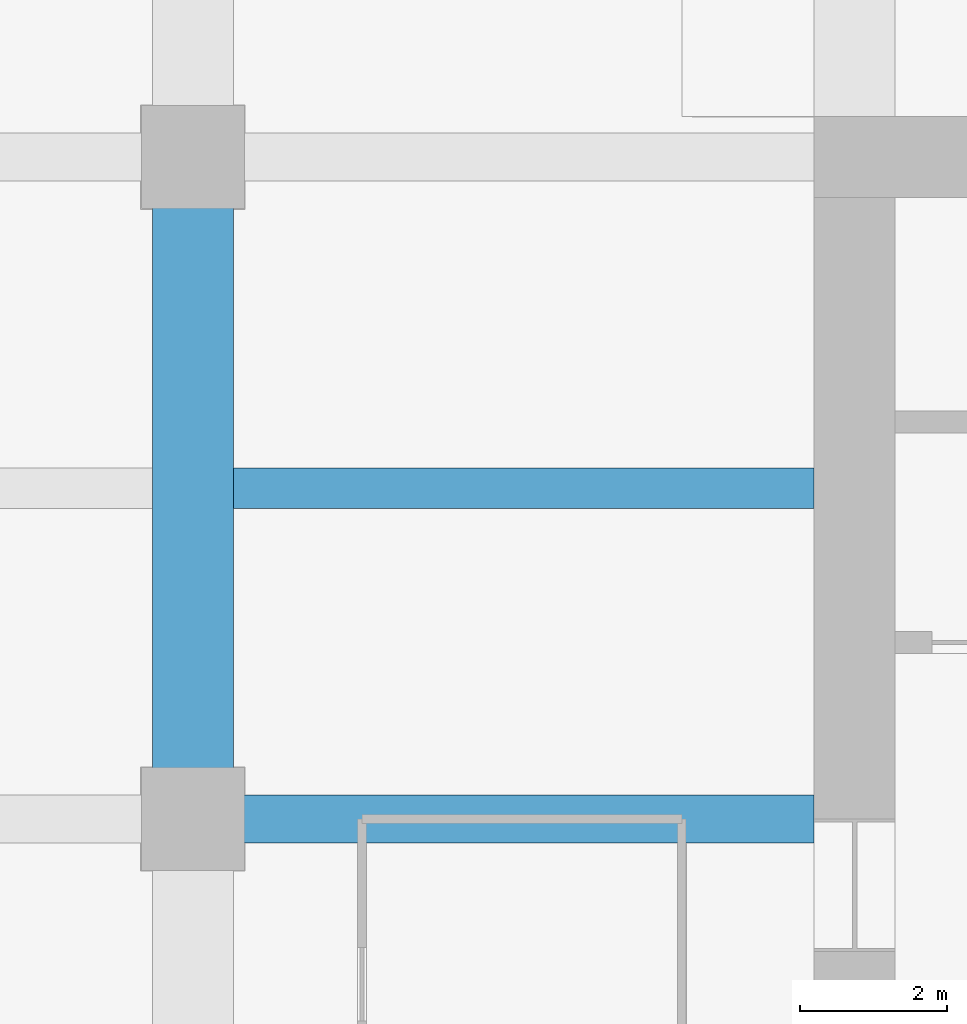
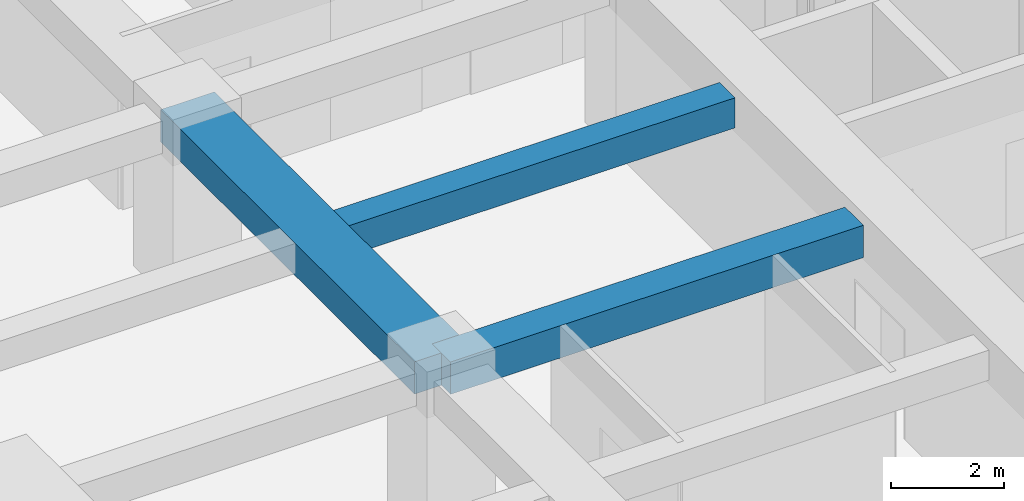
# One storey, part 12 of 33: 3 beams.
"""IFC4 building model written with IfcOpenShell, lengths in metres."""

from ifc_helpers import new_model, si_unit, direction, frame, origin, origin_2d, place, context, subcontext, project, spatial, rectangle, extrude, material, material_profile, profile_set, type_object, element, save


model = new_model("IFC4")

# Units and contexts
model_context = context("Model", 3, precision=1e-05, world=origin(), true_north=direction((0.0, 1.0)))
body_context = subcontext(model_context, "Body", "Model", "MODEL_VIEW")
ifc_project = project(units=[si_unit("LENGTHUNIT", "METRE"), si_unit("AREAUNIT", "SQUARE_METRE"), si_unit("VOLUMEUNIT", "CUBIC_METRE"), si_unit("PLANEANGLEUNIT", "RADIAN"), si_unit("MASSUNIT", "GRAM", prefix="KILO")], contexts=[model_context])

# Site, building, storey
site_placement = place(None, origin())
site = spatial("IfcSite", under=ifc_project, at=site_placement, CompositionType="ELEMENT")
building_placement = place(site_placement, origin())
building = spatial("IfcBuilding", under=site, at=building_placement, Name="Zorevar Civic Tower", CompositionType="ELEMENT")
storey_placement = place(building_placement, frame((0.0, 0.0, 210.199951171875)))
storey = spatial("IfcBuildingStorey", under=building, at=storey_placement, Name="L51", CompositionType="ELEMENT", Elevation=210.199951171875)

# Beams
ifc_material_1 = material(Name="Concrete C50/60", Category="concrete")
ifc_material_profile_1 = material_profile(ifc_material_1, rectangle(XDim=1.10009765625, YDim=0.699951171875, at=origin_2d()), Name="RC 1100x700")
ifc_profile_set_1 = profile_set([ifc_material_profile_1], Name="Concrete C50/60")
beam_type_1 = type_object("IfcBeamType", Name="Beam RC 1100x700", PredefinedType="BEAM", material=ifc_profile_set_1)
beam_1_placement = place(storey_placement, frame((9.0, 27.0, 3.400146484375), z_axis=(0.0, 1.0, 0.0), x_axis=(-1.0, 0.0, 0.0)))
element("IfcBeam", 1, at=beam_1_placement, inside=storey, type_object=beam_type_1, Name="Girder L52", PredefinedType="BEAM", context=body_context, shape_type="SweptSolid", body=[
    extrude(rectangle(XDim=1.10009765625, YDim=0.699951171875, at=origin_2d()), origin(), (0.0, 0.0, 1.0), 9.0),
])
ifc_material_2 = material(Name="Concrete C50/60", Category="concrete")
ifc_material_profile_2 = material_profile(ifc_material_2, rectangle(XDim=0.550048828125, YDim=0.64990234375, at=origin_2d()), Name="RC 550x650")
ifc_profile_set_2 = profile_set([ifc_material_profile_2], Name="Concrete C50/60")
beam_type_2 = type_object("IfcBeamType", Name="Beam RC 550x650", PredefinedType="BEAM", material=ifc_profile_set_2)
beam_2_placement = place(storey_placement, frame((9.550048828125, 31.5, 3.425048828125), z_axis=(1.0, 0.0, 0.0), x_axis=(0.0, 1.0, 0.0)))
element("IfcBeam", 2, at=beam_2_placement, inside=storey, type_object=beam_type_2, Name="Secondary beam L52", PredefinedType="BEAM", context=body_context, shape_type="SweptSolid", body=[
    extrude(rectangle(XDim=0.550048828125, YDim=0.64990234375, at=origin_2d()), origin(), (0.0, 0.0, 1.0), 7.89990234375),
])
ifc_material_3 = material(Name="Concrete C50/60", Category="concrete")
ifc_material_profile_3 = material_profile(ifc_material_3, rectangle(XDim=0.64990234375, YDim=0.699951171875, at=origin_2d()), Name="RC 650x700")
ifc_profile_set_3 = profile_set([ifc_material_profile_3], Name="Concrete C50/60")
beam_type_3 = type_object("IfcBeamType", Name="Beam RC 650x700", PredefinedType="BEAM", material=ifc_profile_set_3)
beam_3_placement = place(storey_placement, frame((9.0, 27.0, 3.400146484375), z_axis=(1.0, 0.0, 0.0), x_axis=(0.0, 1.0, 0.0)))
element("IfcBeam", 3, at=beam_3_placement, inside=storey, type_object=beam_type_3, Name="Girder L52", PredefinedType="BEAM", context=body_context, shape_type="SweptSolid", body=[
    extrude(rectangle(XDim=0.64990234375, YDim=0.699951171875, at=origin_2d()), origin(), (0.0, 0.0, 1.0), 8.449951171875),
])

save(model, "model.ifc")
